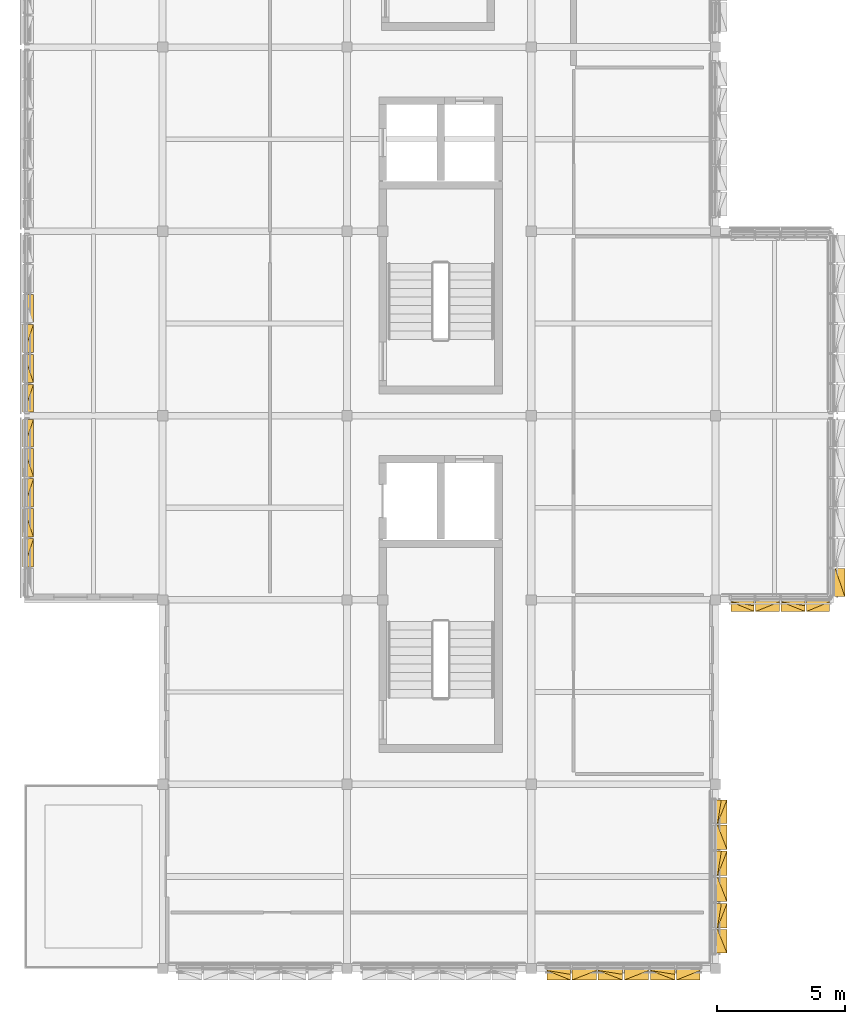
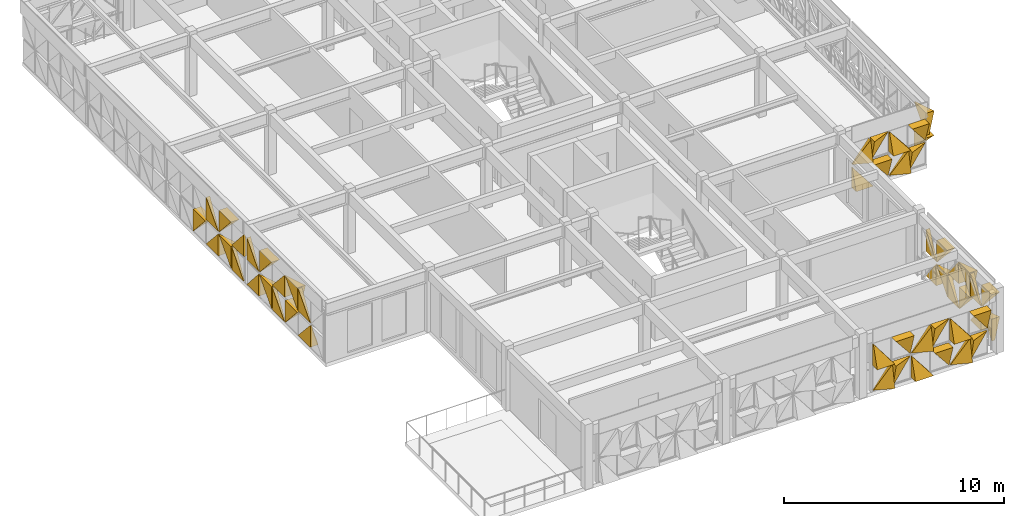
# One storey, part 22 of 25: 51 coverings.
"""IFC4 building model written with IfcOpenShell, lengths in metres."""

from ifc_helpers import new_model, si_unit, direction, frame, origin, place, context, subcontext, project, spatial, polygons, material, layer, layer_set, type_object, element, save


model = new_model("IFC4")

# Units and contexts
model_context = context("Model", 3, precision=1e-05, world=origin(), true_north=direction((0.0, 1.0)))
body_context = subcontext(model_context, "Body", "Model", "MODEL_VIEW")
ifc_project = project(units=[si_unit("LENGTHUNIT", "METRE"), si_unit("AREAUNIT", "SQUARE_METRE"), si_unit("VOLUMEUNIT", "CUBIC_METRE"), si_unit("PLANEANGLEUNIT", "RADIAN"), si_unit("MASSUNIT", "GRAM", prefix="KILO")], contexts=[model_context])

# Site, building, storey
site_placement = place(None, origin())
site = spatial("IfcSite", under=ifc_project, at=site_placement, CompositionType="ELEMENT")
building_placement = place(site_placement, origin())
building = spatial("IfcBuilding", under=site, at=building_placement, Name="Alvorim Cloister Faculty of Sciences", CompositionType="ELEMENT")
storey_placement = place(building_placement, frame((0.0, 0.0, 29.699951171875)))
storey = spatial("IfcBuildingStorey", under=building, at=storey_placement, Name="L08", CompositionType="ELEMENT", Elevation=29.699951171875)

# Coverings
ifc_material = material(Name="Perforated Bronze Alloy Sheet", Category="metal")
ifc_layer = layer(ifc_material, 0.0380859375)
ifc_layer_set = layer_set([ifc_layer], Name="Perforated Bronze Alloy Sheet")
covering_type = type_object("IfcCoveringType", Name="COV-TRI-BRZ", PredefinedType="CLADDING", material=ifc_layer_set)
covering_1_placement = place(storey_placement, frame((1.7548828125, 22.8857421875, 0.14013671875), z_axis=(0.0, 0.0, 1.0), x_axis=(0.0, 1.0, 0.0)))
element("IfcCovering", 1, at=covering_1_placement, inside=storey, type_object=covering_type, Name="Diagonal Solid Metal Triangle TRI-BL", PredefinedType="CLADDING", context=body_context, shape_type="Tessellation", body=[
    polygons([(0.0, 0.0260009765625, 0.0), (1.1063984375, 0.0260009765625, 0.0), (0.0, 0.0260009765625, 1.221388671875), (0.0, -0.4, 0.0), (1.1063984375, -0.4, 0.0), (0.0, -0.03, 1.221388671875)], [[[1, 3, 2]], [[4, 5, 6]], [[1, 2, 5, 4]], [[2, 3, 6, 5]], [[3, 1, 4, 6]]], closed=True),
])
covering_2_placement = place(storey_placement, frame((1.7548828125, 22.8857421875, 1.503662109375), z_axis=(0.0, 0.0, 1.0), x_axis=(0.0, 1.0, 0.0)))
element("IfcCovering", 2, at=covering_2_placement, inside=storey, type_object=covering_type, Name="Diagonal Solid Metal Triangle TRI-BR", PredefinedType="CLADDING", context=body_context, shape_type="Tessellation", body=[
    polygons([(0.002, 0.0260009765625, 0.0), (1.1083984375, 0.0260009765625, 0.0), (1.1083984375, 0.0260009765625, 1.221388671875), (0.002, -0.03, 0.0), (1.1083984375, -0.4, 0.0), (1.1083984375, -0.18000000000000002, 1.221388671875)], [[[1, 3, 2]], [[4, 5, 6]], [[1, 2, 5, 4]], [[2, 3, 6, 5]], [[3, 1, 4, 6]]], closed=True),
])
covering_3_placement = place(storey_placement, frame((1.7548828125, 24.05908203125, 0.14013671875), z_axis=(0.0, 0.0, 1.0), x_axis=(0.0, 1.0, 0.0)))
element("IfcCovering", 3, at=covering_3_placement, inside=storey, type_object=covering_type, Name="Diagonal Solid Metal Triangle TRI-TR", PredefinedType="CLADDING", context=body_context, shape_type="Tessellation", body=[
    polygons([(1.1083984375, 0.0260009765625, 0.002), (1.1083984375, 0.0260009765625, 1.223388671875), (0.002, 0.0260009765625, 1.223388671875), (1.1083984375, -0.03, 0.002), (1.1083984375, -0.4, 1.223388671875), (0.002, -0.4, 1.223388671875)], [[[1, 3, 2]], [[4, 5, 6]], [[1, 2, 5, 4]], [[2, 3, 6, 5]], [[3, 1, 4, 6]]], closed=True),
])
covering_4_placement = place(storey_placement, frame((1.7548828125, 24.05908203125, 1.503662109375), z_axis=(0.0, 0.0, 1.0), x_axis=(0.0, 1.0, 0.0)))
element("IfcCovering", 4, at=covering_4_placement, inside=storey, type_object=covering_type, Name="Diagonal Solid Metal Triangle TRI-TL", PredefinedType="CLADDING", context=body_context, shape_type="Tessellation", body=[
    polygons([(1.1063984375, 0.0260009765625, 1.223388671875), (0.0, 0.0260009765625, 1.223388671875), (0.0, 0.0260009765625, 0.002), (1.1063984375, -0.03, 1.223388671875), (0.0, -0.4, 1.223388671875), (0.0, -0.13999999999999999, 0.002)], [[[1, 3, 2]], [[4, 5, 6]], [[1, 2, 5, 4]], [[2, 3, 6, 5]], [[3, 1, 4, 6]]], closed=True),
])
covering_5_placement = place(storey_placement, frame((1.7548828125, 25.232421875, 0.14013671875), z_axis=(0.0, 0.0, 1.0), x_axis=(0.0, 1.0, 0.0)))
element("IfcCovering", 5, at=covering_5_placement, inside=storey, type_object=covering_type, Name="Diagonal Solid Metal Triangle TRI-BR", PredefinedType="CLADDING", context=body_context, shape_type="Tessellation", body=[
    polygons([(0.002, 0.0260009765625, 0.0), (1.1083984375, 0.0260009765625, 0.0), (1.1083984375, 0.0260009765625, 1.221388671875), (0.002, -0.03, 0.0), (1.1083984375, -0.4, 0.0), (1.1083984375, -0.18000000000000002, 1.221388671875)], [[[1, 3, 2]], [[4, 5, 6]], [[1, 2, 5, 4]], [[2, 3, 6, 5]], [[3, 1, 4, 6]]], closed=True),
])
covering_6_placement = place(storey_placement, frame((1.7548828125, 25.232421875, 1.503662109375), z_axis=(0.0, 0.0, 1.0), x_axis=(0.0, 1.0, 0.0)))
element("IfcCovering", 6, at=covering_6_placement, inside=storey, type_object=covering_type, Name="Diagonal Solid Metal Triangle TRI-BL", PredefinedType="CLADDING", context=body_context, shape_type="Tessellation", body=[
    polygons([(0.0, 0.0260009765625, 0.0), (1.1063984375, 0.0260009765625, 0.0), (0.0, 0.0260009765625, 1.221388671875), (0.0, -0.4, 0.0), (1.1063984375, -0.4, 0.0), (0.0, -0.03, 1.221388671875)], [[[1, 3, 2]], [[4, 5, 6]], [[1, 2, 5, 4]], [[2, 3, 6, 5]], [[3, 1, 4, 6]]], closed=True),
])
covering_7_placement = place(storey_placement, frame((1.7548828125, 26.40576171875, 0.14013671875), z_axis=(0.0, 0.0, 1.0), x_axis=(0.0, 1.0, 0.0)))
element("IfcCovering", 7, at=covering_7_placement, inside=storey, type_object=covering_type, Name="Diagonal Solid Metal Triangle TRI-TL", PredefinedType="CLADDING", context=body_context, shape_type="Tessellation", body=[
    polygons([(1.1063984375, 0.0260009765625, 1.223388671875), (0.0, 0.0260009765625, 1.223388671875), (0.0, 0.0260009765625, 0.002), (1.1063984375, -0.03, 1.223388671875), (0.0, -0.4, 1.223388671875), (0.0, -0.13999999999999999, 0.002)], [[[1, 3, 2]], [[4, 5, 6]], [[1, 2, 5, 4]], [[2, 3, 6, 5]], [[3, 1, 4, 6]]], closed=True),
])
covering_8_placement = place(storey_placement, frame((1.7548828125, 26.40576171875, 1.503662109375), z_axis=(0.0, 0.0, 1.0), x_axis=(0.0, 1.0, 0.0)))
element("IfcCovering", 8, at=covering_8_placement, inside=storey, type_object=covering_type, Name="Diagonal Solid Metal Triangle TRI-TR", PredefinedType="CLADDING", context=body_context, shape_type="Tessellation", body=[
    polygons([(1.1083984375, 0.0260009765625, 0.002), (1.1083984375, 0.0260009765625, 1.223388671875), (0.002, 0.0260009765625, 1.223388671875), (1.1083984375, -0.03, 0.002), (1.1083984375, -0.4, 1.223388671875), (0.002, -0.4, 1.223388671875)], [[[1, 3, 2]], [[4, 5, 6]], [[1, 2, 5, 4]], [[2, 3, 6, 5]], [[3, 1, 4, 6]]], closed=True),
])
covering_9_placement = place(storey_placement, frame((1.7548828125, 27.5791015625, 0.14013671875), z_axis=(0.0, 0.0, 1.0), x_axis=(0.0, 1.0, 0.0)))
element("IfcCovering", 9, at=covering_9_placement, inside=storey, type_object=covering_type, Name="Diagonal Solid Metal Triangle TRI-BL", PredefinedType="CLADDING", context=body_context, shape_type="Tessellation", body=[
    polygons([(0.0, 0.0260009765625, 0.0), (1.073927734375, 0.0260009765625, 0.0), (0.0, 0.0260009765625, 1.221388671875), (0.0, -0.4, 0.0), (1.073927734375, -0.4, 0.0), (0.0, -0.03, 1.221388671875)], [[[1, 3, 2]], [[4, 5, 6]], [[1, 2, 5, 4]], [[2, 3, 6, 5]], [[3, 1, 4, 6]]], closed=True),
])
for number, where, z_axis, x_axis, name in (
    (10, (1.7548828125, 27.5791015625, 1.503662109375), (0.0, 0.0, 1.0), (0.0, 1.0, 0.0), "Diagonal Solid Metal Triangle TRI-BR"),
    (11, (1.7548828125, 28.945068359375, 0.14013671875), (0.0, 0.0, 1.0), (0.0, 1.0, 0.0), "Diagonal Solid Metal Triangle TRI-BR"),
):
    element("IfcCovering", number, at=place(storey_placement, frame(where, z_axis=z_axis, x_axis=x_axis)), inside=storey, type_object=covering_type, Name=name, PredefinedType="CLADDING", context=body_context, shape_type="Tessellation", body=[
        polygons([(0.002, 0.0260009765625, 0.0), (1.075927734375, 0.0260009765625, 0.0), (1.075927734375, 0.0260009765625, 1.221388671875), (0.002, -0.03, 0.0), (1.075927734375, -0.4, 0.0), (1.075927734375, -0.18000000000000002, 1.221388671875)], [[[1, 3, 2]], [[4, 5, 6]], [[1, 2, 5, 4]], [[2, 3, 6, 5]], [[3, 1, 4, 6]]], closed=True),
    ])
covering_10_placement = place(storey_placement, frame((1.7548828125, 28.945068359375, 1.503662109375), z_axis=(0.0, 0.0, 1.0), x_axis=(0.0, 1.0, 0.0)))
element("IfcCovering", 12, at=covering_10_placement, inside=storey, type_object=covering_type, Name="Diagonal Solid Metal Triangle TRI-BL", PredefinedType="CLADDING", context=body_context, shape_type="Tessellation", body=[
    polygons([(0.0, 0.0260009765625, 0.0), (1.073927734375, 0.0260009765625, 0.0), (0.0, 0.0260009765625, 1.221388671875), (0.0, -0.4, 0.0), (1.073927734375, -0.4, 0.0), (0.0, -0.03, 1.221388671875)], [[[1, 3, 2]], [[4, 5, 6]], [[1, 2, 5, 4]], [[2, 3, 6, 5]], [[3, 1, 4, 6]]], closed=True),
])
covering_11_placement = place(storey_placement, frame((1.7548828125, 30.0859375, 0.14013671875), z_axis=(0.0, 0.0, 1.0), x_axis=(0.0, 1.0, 0.0)))
element("IfcCovering", 13, at=covering_11_placement, inside=storey, type_object=covering_type, Name="Diagonal Solid Metal Triangle TRI-TL", PredefinedType="CLADDING", context=body_context, shape_type="Tessellation", body=[
    polygons([(1.1063984375, 0.0260009765625, 1.223388671875), (0.0, 0.0260009765625, 1.223388671875), (0.0, 0.0260009765625, 0.002), (1.1063984375, -0.03, 1.223388671875), (0.0, -0.4, 1.223388671875), (0.0, -0.13999999999999999, 0.002)], [[[1, 3, 2]], [[4, 5, 6]], [[1, 2, 5, 4]], [[2, 3, 6, 5]], [[3, 1, 4, 6]]], closed=True),
])
covering_12_placement = place(storey_placement, frame((1.7548828125, 30.0859375, 1.503662109375), z_axis=(0.0, 0.0, 1.0), x_axis=(0.0, 1.0, 0.0)))
element("IfcCovering", 14, at=covering_12_placement, inside=storey, type_object=covering_type, Name="Diagonal Solid Metal Triangle TRI-TR", PredefinedType="CLADDING", context=body_context, shape_type="Tessellation", body=[
    polygons([(1.1083984375, 0.0260009765625, 0.002), (1.1083984375, 0.0260009765625, 1.223388671875), (0.002, 0.0260009765625, 1.223388671875), (1.1083984375, -0.03, 0.002), (1.1083984375, -0.4, 1.223388671875), (0.002, -0.4, 1.223388671875)], [[[1, 3, 2]], [[4, 5, 6]], [[1, 2, 5, 4]], [[2, 3, 6, 5]], [[3, 1, 4, 6]]], closed=True),
])
covering_13_placement = place(storey_placement, frame((1.7548828125, 31.25927734375, 0.14013671875), z_axis=(0.0, 0.0, 1.0), x_axis=(0.0, 1.0, 0.0)))
element("IfcCovering", 15, at=covering_13_placement, inside=storey, type_object=covering_type, Name="Diagonal Solid Metal Triangle TRI-BL", PredefinedType="CLADDING", context=body_context, shape_type="Tessellation", body=[
    polygons([(0.0, 0.0260009765625, 0.0), (1.1063984375, 0.0260009765625, 0.0), (0.0, 0.0260009765625, 1.221388671875), (0.0, -0.4, 0.0), (1.1063984375, -0.4, 0.0), (0.0, -0.03, 1.221388671875)], [[[1, 3, 2]], [[4, 5, 6]], [[1, 2, 5, 4]], [[2, 3, 6, 5]], [[3, 1, 4, 6]]], closed=True),
])
covering_14_placement = place(storey_placement, frame((1.7548828125, 31.25927734375, 1.503662109375), z_axis=(0.0, 0.0, 1.0), x_axis=(0.0, 1.0, 0.0)))
element("IfcCovering", 16, at=covering_14_placement, inside=storey, type_object=covering_type, Name="Diagonal Solid Metal Triangle TRI-BR", PredefinedType="CLADDING", context=body_context, shape_type="Tessellation", body=[
    polygons([(0.002, 0.0260009765625, 0.0), (1.1083984375, 0.0260009765625, 0.0), (1.1083984375, 0.0260009765625, 1.221388671875), (0.002, -0.03, 0.0), (1.1083984375, -0.4, 0.0), (1.1083984375, -0.18000000000000002, 1.221388671875)], [[[1, 3, 2]], [[4, 5, 6]], [[1, 2, 5, 4]], [[2, 3, 6, 5]], [[3, 1, 4, 6]]], closed=True),
])
covering_15_placement = place(storey_placement, frame((1.7548828125, 32.4326171875, 0.14013671875), z_axis=(0.0, 0.0, 1.0), x_axis=(0.0, 1.0, 0.0)))
element("IfcCovering", 17, at=covering_15_placement, inside=storey, type_object=covering_type, Name="Diagonal Solid Metal Triangle TRI-TR", PredefinedType="CLADDING", context=body_context, shape_type="Tessellation", body=[
    polygons([(1.1083984375, 0.0260009765625, 0.002), (1.1083984375, 0.0260009765625, 1.223388671875), (0.002, 0.0260009765625, 1.223388671875), (1.1083984375, -0.03, 0.002), (1.1083984375, -0.4, 1.223388671875), (0.002, -0.4, 1.223388671875)], [[[1, 3, 2]], [[4, 5, 6]], [[1, 2, 5, 4]], [[2, 3, 6, 5]], [[3, 1, 4, 6]]], closed=True),
])
covering_16_placement = place(storey_placement, frame((33.445068359375, 21.7451171875, 0.14013671875), z_axis=(0.0, 0.0, 1.0), x_axis=(0.0, 1.0, 0.0)))
element("IfcCovering", 18, at=covering_16_placement, inside=storey, type_object=covering_type, Name="Diagonal Solid Metal Triangle TRI-TR", PredefinedType="CLADDING", context=body_context, shape_type="Tessellation", body=[
    polygons([(1.075927734375, 0.0260009765625, 0.002), (1.075927734375, 0.0260009765625, 1.223388671875), (0.002, 0.0260009765625, 1.223388671875), (1.075927734375, -0.03, 0.002), (1.075927734375, -0.4, 1.223388671875), (0.002, -0.4, 1.223388671875)], [[[1, 3, 2]], [[4, 5, 6]], [[1, 2, 5, 4]], [[2, 3, 6, 5]], [[3, 1, 4, 6]]], closed=True),
])
covering_17_placement = place(storey_placement, frame((33.445068359375, 21.7451171875, 1.503662109375), z_axis=(0.0, 0.0, 1.0), x_axis=(0.0, 1.0, 0.0)))
element("IfcCovering", 19, at=covering_17_placement, inside=storey, type_object=covering_type, Name="Diagonal Solid Metal Triangle TRI-TL", PredefinedType="CLADDING", context=body_context, shape_type="Tessellation", body=[
    polygons([(1.073927734375, 0.0260009765625, 1.223388671875), (0.0, 0.0260009765625, 1.223388671875), (0.0, 0.0260009765625, 0.002), (1.073927734375, -0.03, 1.223388671875), (0.0, -0.4, 1.223388671875), (0.0, -0.13999999999999999, 0.002)], [[[1, 3, 2]], [[4, 5, 6]], [[1, 2, 5, 4]], [[2, 3, 6, 5]], [[3, 1, 4, 6]]], closed=True),
])
covering_18_placement = place(storey_placement, frame((29.405029296875, 21.554931640625, 0.14013671875), z_axis=(0.0, 0.0, 1.0), x_axis=(1.0, 0.0, 0.0)))
element("IfcCovering", 20, at=covering_18_placement, inside=storey, type_object=covering_type, Name="Diagonal Solid Metal Triangle TRI-BL", PredefinedType="CLADDING", context=body_context, shape_type="Tessellation", body=[
    polygons([(0.0, 0.0260009765625, 0.0), (0.8954609375, 0.0260009765625, 0.0), (0.0, 0.0260009765625, 1.14594921875), (0.0, -0.4, 0.0), (0.8954609375, -0.4, 0.0), (0.0, -0.03, 1.14594921875)], [[[1, 3, 2]], [[4, 5, 6]], [[1, 2, 5, 4]], [[2, 3, 6, 5]], [[3, 1, 4, 6]]], closed=True),
])
covering_19_placement = place(storey_placement, frame((29.405029296875, 21.554931640625, 1.427978515625), z_axis=(0.0, 0.0, 1.0), x_axis=(1.0, 0.0, 0.0)))
element("IfcCovering", 21, at=covering_19_placement, inside=storey, type_object=covering_type, Name="Diagonal Solid Metal Triangle TRI-BR", PredefinedType="CLADDING", context=body_context, shape_type="Tessellation", body=[
    polygons([(0.002, 0.0260009765625, 0.0), (0.8974609375, 0.0260009765625, 0.0), (0.8974609375, 0.0260009765625, 1.14594921875), (0.002, -0.03, 0.0), (0.8974609375, -0.4, 0.0), (0.8974609375, -0.18000000000000002, 1.14594921875)], [[[1, 3, 2]], [[4, 5, 6]], [[1, 2, 5, 4]], [[2, 3, 6, 5]], [[3, 1, 4, 6]]], closed=True),
])
covering_20_placement = place(storey_placement, frame((30.367431640625, 21.554931640625, 0.14013671875), z_axis=(0.0, 0.0, 1.0), x_axis=(1.0, 0.0, 0.0)))
element("IfcCovering", 22, at=covering_20_placement, inside=storey, type_object=covering_type, Name="Diagonal Solid Metal Triangle TRI-TR", PredefinedType="CLADDING", context=body_context, shape_type="Tessellation", body=[
    polygons([(0.929931640625, 0.0260009765625, 0.002), (0.929931640625, 0.0260009765625, 1.14794921875), (0.002, 0.0260009765625, 1.14794921875), (0.929931640625, -0.03, 0.002), (0.929931640625, -0.4, 1.14794921875), (0.002, -0.4, 1.14794921875)], [[[1, 3, 2]], [[4, 5, 6]], [[1, 2, 5, 4]], [[2, 3, 6, 5]], [[3, 1, 4, 6]]], closed=True),
])
covering_21_placement = place(storey_placement, frame((30.367431640625, 21.554931640625, 1.427978515625), z_axis=(0.0, 0.0, 1.0), x_axis=(1.0, 0.0, 0.0)))
element("IfcCovering", 23, at=covering_21_placement, inside=storey, type_object=covering_type, Name="Diagonal Solid Metal Triangle TRI-TL", PredefinedType="CLADDING", context=body_context, shape_type="Tessellation", body=[
    polygons([(0.927931640625, 0.0260009765625, 1.14794921875), (0.0, 0.0260009765625, 1.14794921875), (0.0, 0.0260009765625, 0.002), (0.927931640625, -0.03, 1.14794921875), (0.0, -0.4, 1.14794921875), (0.0, -0.13999999999999999, 0.002)], [[[1, 3, 2]], [[4, 5, 6]], [[1, 2, 5, 4]], [[2, 3, 6, 5]], [[3, 1, 4, 6]]], closed=True),
])
covering_22_placement = place(storey_placement, frame((31.362548828125, 21.554931640625, 0.14013671875), z_axis=(0.0, 0.0, 1.0), x_axis=(1.0, 0.0, 0.0)))
element("IfcCovering", 24, at=covering_22_placement, inside=storey, type_object=covering_type, Name="Diagonal Solid Metal Triangle TRI-BR", PredefinedType="CLADDING", context=body_context, shape_type="Tessellation", body=[
    polygons([(0.002, 0.0260009765625, 0.0), (0.929931640625, 0.0260009765625, 0.0), (0.929931640625, 0.0260009765625, 1.14594921875), (0.002, -0.03, 0.0), (0.929931640625, -0.4, 0.0), (0.929931640625, -0.18000000000000002, 1.14594921875)], [[[1, 3, 2]], [[4, 5, 6]], [[1, 2, 5, 4]], [[2, 3, 6, 5]], [[3, 1, 4, 6]]], closed=True),
])
covering_23_placement = place(storey_placement, frame((31.362548828125, 21.554931640625, 1.427978515625), z_axis=(0.0, 0.0, 1.0), x_axis=(1.0, 0.0, 0.0)))
element("IfcCovering", 25, at=covering_23_placement, inside=storey, type_object=covering_type, Name="Diagonal Solid Metal Triangle TRI-BL", PredefinedType="CLADDING", context=body_context, shape_type="Tessellation", body=[
    polygons([(0.0, 0.0260009765625, 0.0), (0.927931640625, 0.0260009765625, 0.0), (0.0, 0.0260009765625, 1.14594921875), (0.0, -0.4, 0.0), (0.927931640625, -0.4, 0.0), (0.0, -0.03, 1.14594921875)], [[[1, 3, 2]], [[4, 5, 6]], [[1, 2, 5, 4]], [[2, 3, 6, 5]], [[3, 1, 4, 6]]], closed=True),
])
covering_24_placement = place(storey_placement, frame((32.357421875, 21.554931640625, 0.14013671875), z_axis=(0.0, 0.0, 1.0), x_axis=(1.0, 0.0, 0.0)))
element("IfcCovering", 26, at=covering_24_placement, inside=storey, type_object=covering_type, Name="Diagonal Solid Metal Triangle TRI-TL", PredefinedType="CLADDING", context=body_context, shape_type="Tessellation", body=[
    polygons([(0.8954609375, 0.0260009765625, 1.14794921875), (0.0, 0.0260009765625, 1.14794921875), (0.0, 0.0260009765625, 0.002), (0.8954609375, -0.03, 1.14794921875), (0.0, -0.4, 1.14794921875), (0.0, -0.13999999999999999, 0.002)], [[[1, 3, 2]], [[4, 5, 6]], [[1, 2, 5, 4]], [[2, 3, 6, 5]], [[3, 1, 4, 6]]], closed=True),
])
covering_25_placement = place(storey_placement, frame((32.357421875, 21.554931640625, 1.427978515625), z_axis=(0.0, 0.0, 1.0), x_axis=(1.0, 0.0, 0.0)))
element("IfcCovering", 27, at=covering_25_placement, inside=storey, type_object=covering_type, Name="Diagonal Solid Metal Triangle TRI-TR", PredefinedType="CLADDING", context=body_context, shape_type="Tessellation", body=[
    polygons([(0.8974609375, 0.0260009765625, 0.002), (0.8974609375, 0.0260009765625, 1.14794921875), (0.002, 0.0260009765625, 1.14794921875), (0.8974609375, -0.03, 0.002), (0.8974609375, -0.4, 1.14794921875), (0.002, -0.4, 1.14794921875)], [[[1, 3, 2]], [[4, 5, 6]], [[1, 2, 5, 4]], [[2, 3, 6, 5]], [[3, 1, 4, 6]]], closed=True),
])
covering_26_placement = place(storey_placement, frame((28.844970703125, 7.804931640625, 0.14013671875), z_axis=(0.0, 0.0, 1.0), x_axis=(0.0, 1.0, 0.0)))
element("IfcCovering", 28, at=covering_26_placement, inside=storey, type_object=covering_type, Name="Diagonal Solid Metal Triangle TRI-TL", PredefinedType="CLADDING", context=body_context, shape_type="Tessellation", body=[
    polygons([(0.920607421875, 0.0260009765625, 1.219970703125), (0.0, 0.0260009765625, 1.219970703125), (0.0, 0.0260009765625, 0.002), (0.920607421875, -0.03, 1.219970703125), (0.0, -0.4, 1.219970703125), (0.0, -0.13999999999999999, 0.002)], [[[1, 3, 2]], [[4, 5, 6]], [[1, 2, 5, 4]], [[2, 3, 6, 5]], [[3, 1, 4, 6]]], closed=True),
])
covering_27_placement = place(storey_placement, frame((28.844970703125, 7.804931640625, 1.5), z_axis=(0.0, 0.0, 1.0), x_axis=(0.0, 1.0, 0.0)))
element("IfcCovering", 29, at=covering_27_placement, inside=storey, type_object=covering_type, Name="Diagonal Solid Metal Triangle TRI-TR", PredefinedType="CLADDING", context=body_context, shape_type="Tessellation", body=[
    polygons([(0.922607421875, 0.0260009765625, 0.002), (0.922607421875, 0.0260009765625, 1.219970703125), (0.002, 0.0260009765625, 1.219970703125), (0.922607421875, -0.03, 0.002), (0.922607421875, -0.4, 1.219970703125), (0.002, -0.4, 1.219970703125)], [[[1, 3, 2]], [[4, 5, 6]], [[1, 2, 5, 4]], [[2, 3, 6, 5]], [[3, 1, 4, 6]]], closed=True),
])
covering_28_placement = place(storey_placement, frame((28.844970703125, 8.79248046875, 0.14013671875), z_axis=(0.0, 0.0, 1.0), x_axis=(0.0, 1.0, 0.0)))
element("IfcCovering", 30, at=covering_28_placement, inside=storey, type_object=covering_type, Name="Diagonal Solid Metal Triangle TRI-BL", PredefinedType="CLADDING", context=body_context, shape_type="Tessellation", body=[
    polygons([(0.0, 0.0260009765625, 0.0), (0.953078125, 0.0260009765625, 0.0), (0.0, 0.0260009765625, 1.217970703125), (0.0, -0.4, 0.0), (0.953078125, -0.4, 0.0), (0.0, -0.03, 1.217970703125)], [[[1, 3, 2]], [[4, 5, 6]], [[1, 2, 5, 4]], [[2, 3, 6, 5]], [[3, 1, 4, 6]]], closed=True),
])
covering_29_placement = place(storey_placement, frame((28.844970703125, 8.79248046875, 1.5), z_axis=(0.0, 0.0, 1.0), x_axis=(0.0, 1.0, 0.0)))
element("IfcCovering", 31, at=covering_29_placement, inside=storey, type_object=covering_type, Name="Diagonal Solid Metal Triangle TRI-BR", PredefinedType="CLADDING", context=body_context, shape_type="Tessellation", body=[
    polygons([(0.002, 0.0260009765625, 0.0), (0.955078125, 0.0260009765625, 0.0), (0.955078125, 0.0260009765625, 1.217970703125), (0.002, -0.03, 0.0), (0.955078125, -0.4, 0.0), (0.955078125, -0.18000000000000002, 1.217970703125)], [[[1, 3, 2]], [[4, 5, 6]], [[1, 2, 5, 4]], [[2, 3, 6, 5]], [[3, 1, 4, 6]]], closed=True),
])
covering_30_placement = place(storey_placement, frame((28.844970703125, 9.8125, 0.14013671875), z_axis=(0.0, 0.0, 1.0), x_axis=(0.0, 1.0, 0.0)))
element("IfcCovering", 32, at=covering_30_placement, inside=storey, type_object=covering_type, Name="Diagonal Solid Metal Triangle TRI-TR", PredefinedType="CLADDING", context=body_context, shape_type="Tessellation", body=[
    polygons([(0.955078125, 0.0260009765625, 0.002), (0.955078125, 0.0260009765625, 1.219970703125), (0.002, 0.0260009765625, 1.219970703125), (0.955078125, -0.03, 0.002), (0.955078125, -0.4, 1.219970703125), (0.002, -0.4, 1.219970703125)], [[[1, 3, 2]], [[4, 5, 6]], [[1, 2, 5, 4]], [[2, 3, 6, 5]], [[3, 1, 4, 6]]], closed=True),
])
covering_31_placement = place(storey_placement, frame((28.844970703125, 9.8125, 1.5), z_axis=(0.0, 0.0, 1.0), x_axis=(0.0, 1.0, 0.0)))
element("IfcCovering", 33, at=covering_31_placement, inside=storey, type_object=covering_type, Name="Diagonal Solid Metal Triangle TRI-TL", PredefinedType="CLADDING", context=body_context, shape_type="Tessellation", body=[
    polygons([(0.953078125, 0.0260009765625, 1.219970703125), (0.0, 0.0260009765625, 1.219970703125), (0.0, 0.0260009765625, 0.002), (0.953078125, -0.03, 1.219970703125), (0.0, -0.4, 1.219970703125), (0.0, -0.13999999999999999, 0.002)], [[[1, 3, 2]], [[4, 5, 6]], [[1, 2, 5, 4]], [[2, 3, 6, 5]], [[3, 1, 4, 6]]], closed=True),
])
covering_32_placement = place(storey_placement, frame((28.844970703125, 10.83251953125, 0.14013671875), z_axis=(0.0, 0.0, 1.0), x_axis=(0.0, 1.0, 0.0)))
element("IfcCovering", 34, at=covering_32_placement, inside=storey, type_object=covering_type, Name="Diagonal Solid Metal Triangle TRI-BR", PredefinedType="CLADDING", context=body_context, shape_type="Tessellation", body=[
    polygons([(0.002, 0.0260009765625, 0.0), (0.955078125, 0.0260009765625, 0.0), (0.955078125, 0.0260009765625, 1.217970703125), (0.002, -0.03, 0.0), (0.955078125, -0.4, 0.0), (0.955078125, -0.18000000000000002, 1.217970703125)], [[[1, 3, 2]], [[4, 5, 6]], [[1, 2, 5, 4]], [[2, 3, 6, 5]], [[3, 1, 4, 6]]], closed=True),
])
covering_33_placement = place(storey_placement, frame((28.844970703125, 10.83251953125, 1.5), z_axis=(0.0, 0.0, 1.0), x_axis=(0.0, 1.0, 0.0)))
element("IfcCovering", 35, at=covering_33_placement, inside=storey, type_object=covering_type, Name="Diagonal Solid Metal Triangle TRI-BL", PredefinedType="CLADDING", context=body_context, shape_type="Tessellation", body=[
    polygons([(0.0, 0.0260009765625, 0.0), (0.953078125, 0.0260009765625, 0.0), (0.0, 0.0260009765625, 1.217970703125), (0.0, -0.4, 0.0), (0.953078125, -0.4, 0.0), (0.0, -0.03, 1.217970703125)], [[[1, 3, 2]], [[4, 5, 6]], [[1, 2, 5, 4]], [[2, 3, 6, 5]], [[3, 1, 4, 6]]], closed=True),
])
covering_34_placement = place(storey_placement, frame((28.844970703125, 11.8525390625, 0.14013671875), z_axis=(0.0, 0.0, 1.0), x_axis=(0.0, 1.0, 0.0)))
element("IfcCovering", 36, at=covering_34_placement, inside=storey, type_object=covering_type, Name="Diagonal Solid Metal Triangle TRI-TL", PredefinedType="CLADDING", context=body_context, shape_type="Tessellation", body=[
    polygons([(0.953078125, 0.0260009765625, 1.219970703125), (0.0, 0.0260009765625, 1.219970703125), (0.0, 0.0260009765625, 0.002), (0.953078125, -0.03, 1.219970703125), (0.0, -0.4, 1.219970703125), (0.0, -0.13999999999999999, 0.002)], [[[1, 3, 2]], [[4, 5, 6]], [[1, 2, 5, 4]], [[2, 3, 6, 5]], [[3, 1, 4, 6]]], closed=True),
])
covering_35_placement = place(storey_placement, frame((28.844970703125, 11.8525390625, 1.5), z_axis=(0.0, 0.0, 1.0), x_axis=(0.0, 1.0, 0.0)))
element("IfcCovering", 37, at=covering_35_placement, inside=storey, type_object=covering_type, Name="Diagonal Solid Metal Triangle TRI-TR", PredefinedType="CLADDING", context=body_context, shape_type="Tessellation", body=[
    polygons([(0.955078125, 0.0260009765625, 0.002), (0.955078125, 0.0260009765625, 1.219970703125), (0.002, 0.0260009765625, 1.219970703125), (0.955078125, -0.03, 0.002), (0.955078125, -0.4, 1.219970703125), (0.002, -0.4, 1.219970703125)], [[[1, 3, 2]], [[4, 5, 6]], [[1, 2, 5, 4]], [[2, 3, 6, 5]], [[3, 1, 4, 6]]], closed=True),
])
covering_36_placement = place(storey_placement, frame((28.844970703125, 12.87255859375, 0.14013671875), z_axis=(0.0, 0.0, 1.0), x_axis=(0.0, 1.0, 0.0)))
element("IfcCovering", 38, at=covering_36_placement, inside=storey, type_object=covering_type, Name="Diagonal Solid Metal Triangle TRI-BL", PredefinedType="CLADDING", context=body_context, shape_type="Tessellation", body=[
    polygons([(0.0, 0.0260009765625, 0.0), (0.920607421875, 0.0260009765625, 0.0), (0.0, 0.0260009765625, 1.217970703125), (0.0, -0.4, 0.0), (0.920607421875, -0.4, 0.0), (0.0, -0.03, 1.217970703125)], [[[1, 3, 2]], [[4, 5, 6]], [[1, 2, 5, 4]], [[2, 3, 6, 5]], [[3, 1, 4, 6]]], closed=True),
])
for number, where, z_axis, x_axis, name in (
    (39, (28.844970703125, 12.87255859375, 1.5), (0.0, 0.0, 1.0), (0.0, 1.0, 0.0), "Diagonal Solid Metal Triangle TRI-BR"),
    (40, (22.205078125, 7.155029296875, 0.14013671875), (0.0, 0.0, 1.0), (1.0, 0.0, 0.0), "Diagonal Solid Metal Triangle TRI-BR"),
):
    element("IfcCovering", number, at=place(storey_placement, frame(where, z_axis=z_axis, x_axis=x_axis)), inside=storey, type_object=covering_type, Name=name, PredefinedType="CLADDING", context=body_context, shape_type="Tessellation", body=[
        polygons([(0.002, 0.0260009765625, 0.0), (0.922607421875, 0.0260009765625, 0.0), (0.922607421875, 0.0260009765625, 1.217970703125), (0.002, -0.03, 0.0), (0.922607421875, -0.4, 0.0), (0.922607421875, -0.18000000000000002, 1.217970703125)], [[[1, 3, 2]], [[4, 5, 6]], [[1, 2, 5, 4]], [[2, 3, 6, 5]], [[3, 1, 4, 6]]], closed=True),
    ])
covering_37_placement = place(storey_placement, frame((22.205078125, 7.155029296875, 1.5), z_axis=(0.0, 0.0, 1.0), x_axis=(1.0, 0.0, 0.0)))
element("IfcCovering", 41, at=covering_37_placement, inside=storey, type_object=covering_type, Name="Diagonal Solid Metal Triangle TRI-BL", PredefinedType="CLADDING", context=body_context, shape_type="Tessellation", body=[
    polygons([(0.0, 0.0260009765625, 0.0), (0.920607421875, 0.0260009765625, 0.0), (0.0, 0.0260009765625, 1.217970703125), (0.0, -0.4, 0.0), (0.920607421875, -0.4, 0.0), (0.0, -0.03, 1.217970703125)], [[[1, 3, 2]], [[4, 5, 6]], [[1, 2, 5, 4]], [[2, 3, 6, 5]], [[3, 1, 4, 6]]], closed=True),
])
covering_38_placement = place(storey_placement, frame((23.1923828125, 7.155029296875, 0.14013671875), z_axis=(0.0, 0.0, 1.0), x_axis=(1.0, 0.0, 0.0)))
element("IfcCovering", 42, at=covering_38_placement, inside=storey, type_object=covering_type, Name="Diagonal Solid Metal Triangle TRI-TL", PredefinedType="CLADDING", context=body_context, shape_type="Tessellation", body=[
    polygons([(0.953078125, 0.0260009765625, 1.219970703125), (0.0, 0.0260009765625, 1.219970703125), (0.0, 0.0260009765625, 0.002), (0.953078125, -0.03, 1.219970703125), (0.0, -0.4, 1.219970703125), (0.0, -0.13999999999999999, 0.002)], [[[1, 3, 2]], [[4, 5, 6]], [[1, 2, 5, 4]], [[2, 3, 6, 5]], [[3, 1, 4, 6]]], closed=True),
])
covering_39_placement = place(storey_placement, frame((23.1923828125, 7.155029296875, 1.5), z_axis=(0.0, 0.0, 1.0), x_axis=(1.0, 0.0, 0.0)))
element("IfcCovering", 43, at=covering_39_placement, inside=storey, type_object=covering_type, Name="Diagonal Solid Metal Triangle TRI-TR", PredefinedType="CLADDING", context=body_context, shape_type="Tessellation", body=[
    polygons([(0.955078125, 0.0260009765625, 0.002), (0.955078125, 0.0260009765625, 1.219970703125), (0.002, 0.0260009765625, 1.219970703125), (0.955078125, -0.03, 0.002), (0.955078125, -0.4, 1.219970703125), (0.002, -0.4, 1.219970703125)], [[[1, 3, 2]], [[4, 5, 6]], [[1, 2, 5, 4]], [[2, 3, 6, 5]], [[3, 1, 4, 6]]], closed=True),
])
covering_40_placement = place(storey_placement, frame((24.21240234375, 7.155029296875, 0.14013671875), z_axis=(0.0, 0.0, 1.0), x_axis=(1.0, 0.0, 0.0)))
element("IfcCovering", 44, at=covering_40_placement, inside=storey, type_object=covering_type, Name="Diagonal Solid Metal Triangle TRI-BL", PredefinedType="CLADDING", context=body_context, shape_type="Tessellation", body=[
    polygons([(0.0, 0.0260009765625, 0.0), (0.953078125, 0.0260009765625, 0.0), (0.0, 0.0260009765625, 1.217970703125), (0.0, -0.4, 0.0), (0.953078125, -0.4, 0.0), (0.0, -0.03, 1.217970703125)], [[[1, 3, 2]], [[4, 5, 6]], [[1, 2, 5, 4]], [[2, 3, 6, 5]], [[3, 1, 4, 6]]], closed=True),
])
covering_41_placement = place(storey_placement, frame((24.21240234375, 7.155029296875, 1.5), z_axis=(0.0, 0.0, 1.0), x_axis=(1.0, 0.0, 0.0)))
element("IfcCovering", 45, at=covering_41_placement, inside=storey, type_object=covering_type, Name="Diagonal Solid Metal Triangle TRI-BR", PredefinedType="CLADDING", context=body_context, shape_type="Tessellation", body=[
    polygons([(0.002, 0.0260009765625, 0.0), (0.955078125, 0.0260009765625, 0.0), (0.955078125, 0.0260009765625, 1.217970703125), (0.002, -0.03, 0.0), (0.955078125, -0.4, 0.0), (0.955078125, -0.18000000000000002, 1.217970703125)], [[[1, 3, 2]], [[4, 5, 6]], [[1, 2, 5, 4]], [[2, 3, 6, 5]], [[3, 1, 4, 6]]], closed=True),
])
covering_42_placement = place(storey_placement, frame((25.232421875, 7.155029296875, 0.14013671875), z_axis=(0.0, 0.0, 1.0), x_axis=(1.0, 0.0, 0.0)))
element("IfcCovering", 46, at=covering_42_placement, inside=storey, type_object=covering_type, Name="Diagonal Solid Metal Triangle TRI-TR", PredefinedType="CLADDING", context=body_context, shape_type="Tessellation", body=[
    polygons([(0.955078125, 0.0260009765625, 0.002), (0.955078125, 0.0260009765625, 1.219970703125), (0.002, 0.0260009765625, 1.219970703125), (0.955078125, -0.03, 0.002), (0.955078125, -0.4, 1.219970703125), (0.002, -0.4, 1.219970703125)], [[[1, 3, 2]], [[4, 5, 6]], [[1, 2, 5, 4]], [[2, 3, 6, 5]], [[3, 1, 4, 6]]], closed=True),
])
covering_43_placement = place(storey_placement, frame((25.232421875, 7.155029296875, 1.5), z_axis=(0.0, 0.0, 1.0), x_axis=(1.0, 0.0, 0.0)))
element("IfcCovering", 47, at=covering_43_placement, inside=storey, type_object=covering_type, Name="Diagonal Solid Metal Triangle TRI-TL", PredefinedType="CLADDING", context=body_context, shape_type="Tessellation", body=[
    polygons([(0.953078125, 0.0260009765625, 1.219970703125), (0.0, 0.0260009765625, 1.219970703125), (0.0, 0.0260009765625, 0.002), (0.953078125, -0.03, 1.219970703125), (0.0, -0.4, 1.219970703125), (0.0, -0.13999999999999999, 0.002)], [[[1, 3, 2]], [[4, 5, 6]], [[1, 2, 5, 4]], [[2, 3, 6, 5]], [[3, 1, 4, 6]]], closed=True),
])
covering_44_placement = place(storey_placement, frame((26.25244140625, 7.155029296875, 0.14013671875), z_axis=(0.0, 0.0, 1.0), x_axis=(1.0, 0.0, 0.0)))
element("IfcCovering", 48, at=covering_44_placement, inside=storey, type_object=covering_type, Name="Diagonal Solid Metal Triangle TRI-BR", PredefinedType="CLADDING", context=body_context, shape_type="Tessellation", body=[
    polygons([(0.002, 0.0260009765625, 0.0), (0.955078125, 0.0260009765625, 0.0), (0.955078125, 0.0260009765625, 1.217970703125), (0.002, -0.03, 0.0), (0.955078125, -0.4, 0.0), (0.955078125, -0.18000000000000002, 1.217970703125)], [[[1, 3, 2]], [[4, 5, 6]], [[1, 2, 5, 4]], [[2, 3, 6, 5]], [[3, 1, 4, 6]]], closed=True),
])
covering_45_placement = place(storey_placement, frame((26.25244140625, 7.155029296875, 1.5), z_axis=(0.0, 0.0, 1.0), x_axis=(1.0, 0.0, 0.0)))
element("IfcCovering", 49, at=covering_45_placement, inside=storey, type_object=covering_type, Name="Diagonal Solid Metal Triangle TRI-BL", PredefinedType="CLADDING", context=body_context, shape_type="Tessellation", body=[
    polygons([(0.0, 0.0260009765625, 0.0), (0.953078125, 0.0260009765625, 0.0), (0.0, 0.0260009765625, 1.217970703125), (0.0, -0.4, 0.0), (0.953078125, -0.4, 0.0), (0.0, -0.03, 1.217970703125)], [[[1, 3, 2]], [[4, 5, 6]], [[1, 2, 5, 4]], [[2, 3, 6, 5]], [[3, 1, 4, 6]]], closed=True),
])
covering_46_placement = place(storey_placement, frame((27.2724609375, 7.155029296875, 0.14013671875), z_axis=(0.0, 0.0, 1.0), x_axis=(1.0, 0.0, 0.0)))
element("IfcCovering", 50, at=covering_46_placement, inside=storey, type_object=covering_type, Name="Diagonal Solid Metal Triangle TRI-TL", PredefinedType="CLADDING", context=body_context, shape_type="Tessellation", body=[
    polygons([(0.920607421875, 0.0260009765625, 1.219970703125), (0.0, 0.0260009765625, 1.219970703125), (0.0, 0.0260009765625, 0.002), (0.920607421875, -0.03, 1.219970703125), (0.0, -0.4, 1.219970703125), (0.0, -0.13999999999999999, 0.002)], [[[1, 3, 2]], [[4, 5, 6]], [[1, 2, 5, 4]], [[2, 3, 6, 5]], [[3, 1, 4, 6]]], closed=True),
])
covering_47_placement = place(storey_placement, frame((27.2724609375, 7.155029296875, 1.5), z_axis=(0.0, 0.0, 1.0), x_axis=(1.0, 0.0, 0.0)))
element("IfcCovering", 51, at=covering_47_placement, inside=storey, type_object=covering_type, Name="Diagonal Solid Metal Triangle TRI-TR", PredefinedType="CLADDING", context=body_context, shape_type="Tessellation", body=[
    polygons([(0.922607421875, 0.0260009765625, 0.002), (0.922607421875, 0.0260009765625, 1.219970703125), (0.002, 0.0260009765625, 1.219970703125), (0.922607421875, -0.03, 0.002), (0.922607421875, -0.4, 1.219970703125), (0.002, -0.4, 1.219970703125)], [[[1, 3, 2]], [[4, 5, 6]], [[1, 2, 5, 4]], [[2, 3, 6, 5]], [[3, 1, 4, 6]]], closed=True),
])

save(model, "model.ifc")
